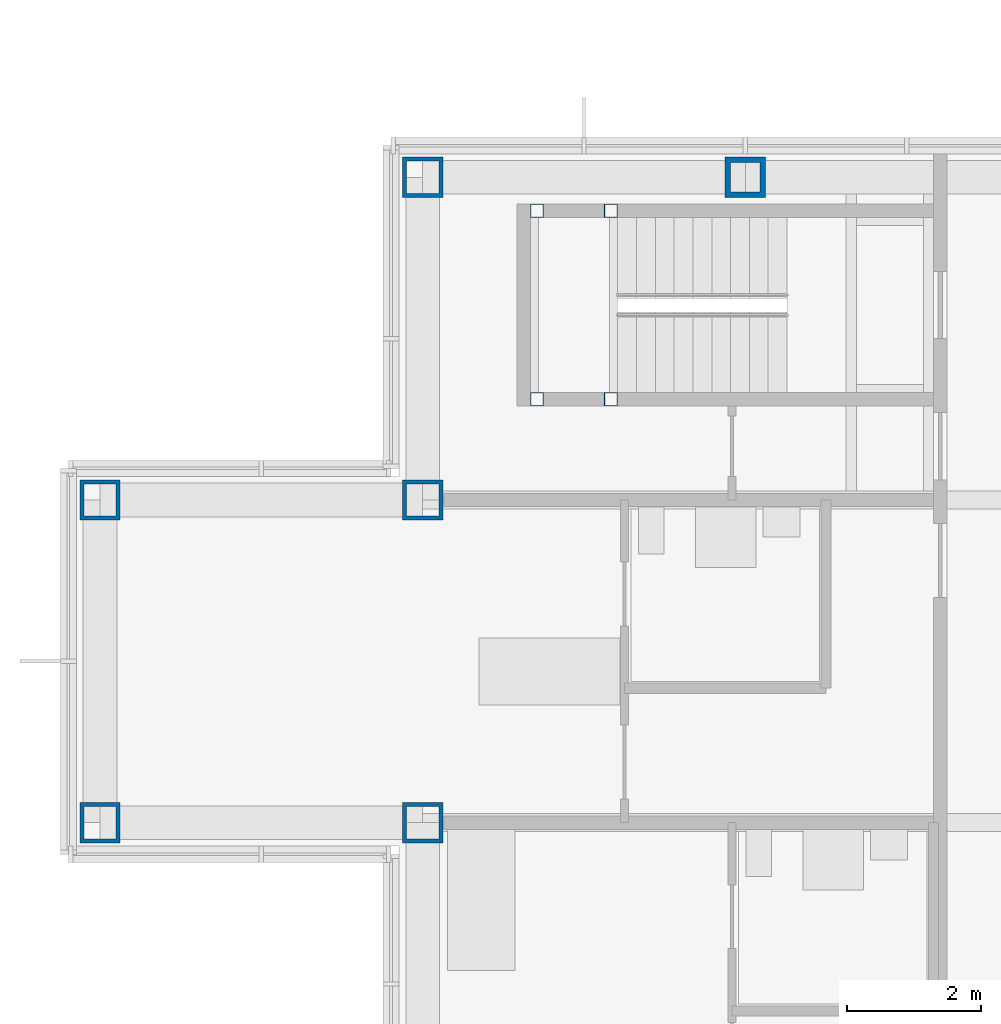
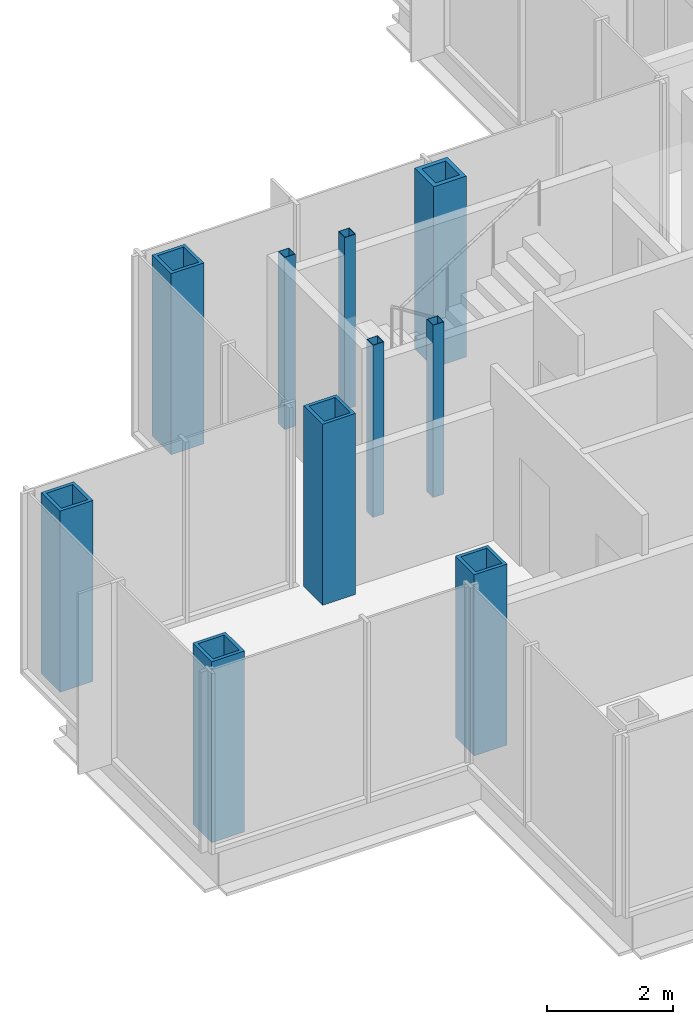
# One storey, part 3 of 17: 10 columns.
"""IFC4 building model written with IfcOpenShell, lengths in metres."""

from ifc_helpers import new_model, si_unit, direction, frame, origin, origin_2d, place, context, subcontext, project, spatial, hollow_rectangle, extrude, material, material_profile, profile_set, type_object, element, save


model = new_model("IFC4")

# Units and contexts
model_context = context("Model", 3, precision=1e-05, world=origin(), true_north=direction((0.0, 1.0)))
body_context = subcontext(model_context, "Body", "Model", "MODEL_VIEW")
ifc_project = project(units=[si_unit("LENGTHUNIT", "METRE"), si_unit("AREAUNIT", "SQUARE_METRE"), si_unit("VOLUMEUNIT", "CUBIC_METRE"), si_unit("PLANEANGLEUNIT", "RADIAN"), si_unit("MASSUNIT", "GRAM", prefix="KILO")], contexts=[model_context])

# Site, building, storey
site_placement = place(None, origin())
site = spatial("IfcSite", under=ifc_project, at=site_placement, CompositionType="ELEMENT")
building_placement = place(site_placement, origin())
building = spatial("IfcBuilding", under=site, at=building_placement, Name="Kvirike Care Tower", CompositionType="ELEMENT")
storey_placement = place(building_placement, frame((0.0, 0.0, 165.5)))
storey = spatial("IfcBuildingStorey", under=building, at=storey_placement, Name="L45", CompositionType="ELEMENT", Elevation=165.5)

# Columns
ifc_material_1 = material(Name="Steel S460", Category="steel")
ifc_material_profile_1 = material_profile(ifc_material_1, hollow_rectangle(XDim=0.60009765625, YDim=0.60009765625, WallThickness=0.06005859375, at=origin_2d()), Name="BX 600x600x60")
ifc_profile_set_1 = profile_set([ifc_material_profile_1], Name="Steel S460")
column_type_1 = type_object("IfcColumnType", Name="COLUMN BX 600x600x60", PredefinedType="COLUMN", material=ifc_profile_set_1)
for number, where, z_axis, x_axis, name in (
    (1, (0.0, 33.60009765625, 0.0), (0.0, 0.0, 1.0), (0.0, 1.0, 0.0), "Column H3 L45"),
    (2, (0.0, 38.39990234375, 0.0), (0.0, 0.0, 1.0), (0.0, 1.0, 0.0), "Column J3 L45"),
    (3, (4.800048828125, 33.60009765625, 0.0), (0.0, 0.0, 1.0), (0.0, 1.0, 0.0), "Column H4 L45"),
    (4, (4.800048828125, 38.39990234375, 0.0), (0.0, 0.0, 1.0), (0.0, 1.0, 0.0), "Column J4 L45"),
    (5, (4.800048828125, 43.199951171875, 0.0), (0.0, 0.0, 1.0), (0.0, 1.0, 0.0), "Column K4 L45"),
):
    element("IfcColumn", number, at=place(storey_placement, frame(where, z_axis=z_axis, x_axis=x_axis)), inside=storey, type_object=column_type_1, Name=name, PredefinedType="COLUMN", context=body_context, shape_type="SweptSolid", body=[
        extrude(hollow_rectangle(XDim=0.60009765625, YDim=0.60009765625, WallThickness=0.06005859375, at=origin_2d()), origin(), (0.0, 0.0, 1.0), 3.5),
    ])
ifc_material_2 = material(Name="Steel S460", Category="steel")
ifc_material_profile_2 = material_profile(ifc_material_2, hollow_rectangle(XDim=0.60009765625, YDim=0.60009765625, WallThickness=0.080078125, at=origin_2d()), Name="BX 600x600x80")
ifc_profile_set_2 = profile_set([ifc_material_profile_2], Name="Steel S460")
column_type_2 = type_object("IfcColumnType", Name="COLUMN BX 600x600x80", PredefinedType="COLUMN", material=ifc_profile_set_2)
column_placement = place(storey_placement, frame((9.60009765625, 43.199951171875, 0.0), z_axis=(0.0, 0.0, 1.0), x_axis=(0.0, 1.0, 0.0)))
element("IfcColumn", 6, at=column_placement, inside=storey, type_object=column_type_2, Name="Column K5 L45", PredefinedType="COLUMN", context=body_context, shape_type="SweptSolid", body=[
    extrude(hollow_rectangle(XDim=0.60009765625, YDim=0.60009765625, WallThickness=0.080078125, at=origin_2d()), origin(), (0.0, 0.0, 1.0), 3.5),
])
ifc_material_3 = material(Name="Steel S460", Category="steel")
ifc_material_profile_3 = material_profile(ifc_material_3, hollow_rectangle(XDim=0.199951171875, YDim=0.199951171875, WallThickness=0.008056640625, at=origin_2d()), Name="SHS 200x200x8")
ifc_profile_set_3 = profile_set([ifc_material_profile_3], Name="Steel S460")
column_type_3 = type_object("IfcColumnType", Name="STAIR POST SHS 200x200x8", PredefinedType="COLUMN", material=ifc_profile_set_3)
for number, where, z_axis, x_axis, name in (
    (7, (6.5, 42.699951171875, 0.0), (0.0, 0.0, 1.0), (1.0, 0.0, 0.0), "Stair 1 post 1 L45"),
    (8, (6.5, 39.89990234375, 0.0), (0.0, 0.0, 1.0), (1.0, 0.0, 0.0), "Stair 1 post 2 L45"),
    (9, (7.60009765625, 42.699951171875, 0.0), (0.0, 0.0, 1.0), (1.0, 0.0, 0.0), "Stair 1 post 3 L45"),
    (10, (7.60009765625, 39.89990234375, 0.0), (0.0, 0.0, 1.0), (1.0, 0.0, 0.0), "Stair 1 post 4 L45"),
):
    element("IfcColumn", number, at=place(storey_placement, frame(where, z_axis=z_axis, x_axis=x_axis)), inside=storey, type_object=column_type_3, Name=name, PredefinedType="COLUMN", context=body_context, shape_type="SweptSolid", body=[
        extrude(hollow_rectangle(XDim=0.199951171875, YDim=0.199951171875, WallThickness=0.008056640625, at=origin_2d()), origin(), (0.0, 0.0, 1.0), 3.330078125),
    ])

save(model, "model.ifc")
